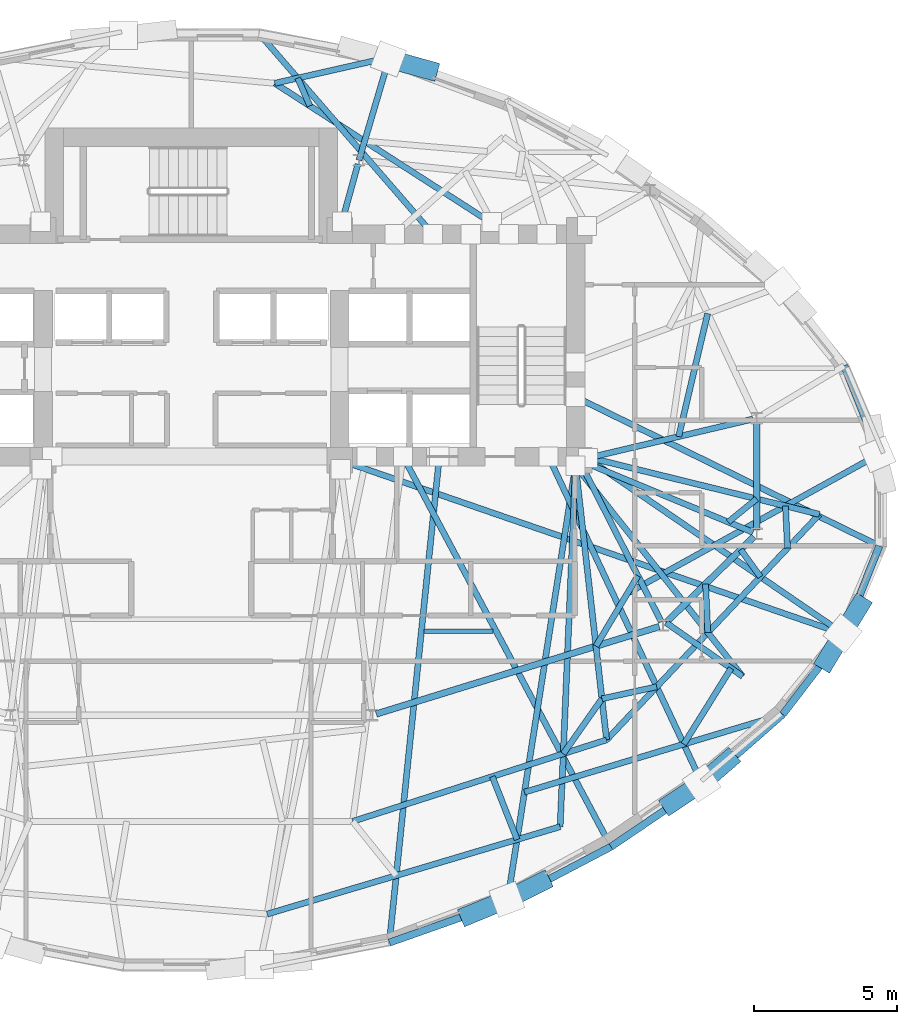
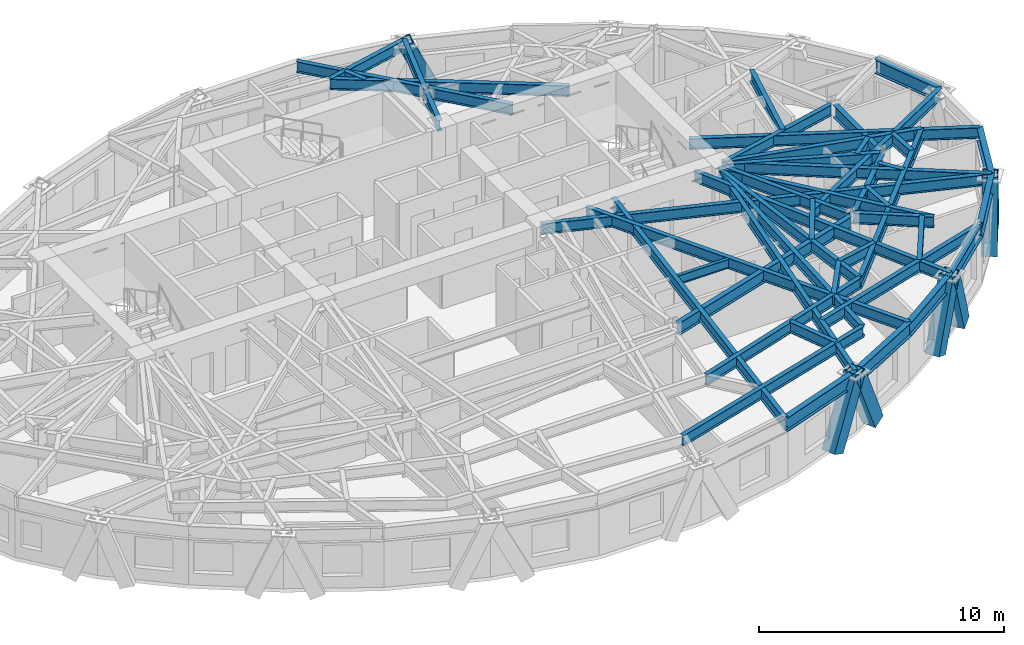
# One storey, part 3 of 14: 47 beams, 7 members.
"""IFC4 building model written with IfcOpenShell, lengths in metres."""

from ifc_helpers import new_model, si_unit, direction, frame, origin, origin_2d, place, context, subcontext, project, spatial, hollow_rectangle, i_section, extrude, material, material_profile, profile_set, type_object, element, save


model = new_model("IFC4")

# Units and contexts
model_context = context("Model", 3, precision=1e-05, world=origin(), true_north=direction((0.0, 1.0)))
body_context = subcontext(model_context, "Body", "Model", "MODEL_VIEW")
ifc_project = project(units=[si_unit("LENGTHUNIT", "METRE"), si_unit("AREAUNIT", "SQUARE_METRE"), si_unit("VOLUMEUNIT", "CUBIC_METRE"), si_unit("PLANEANGLEUNIT", "RADIAN"), si_unit("MASSUNIT", "GRAM", prefix="KILO")], contexts=[model_context])

# Site, building, storey
site_placement = place(None, origin())
site = spatial("IfcSite", under=ifc_project, at=site_placement, CompositionType="ELEMENT")
building_placement = place(site_placement, origin())
building = spatial("IfcBuilding", under=site, at=building_placement, Name="Keldmark Tower", CompositionType="ELEMENT")
storey_placement = place(building_placement, frame((0.0, 0.0, 191.800048828125)))
storey = spatial("IfcBuildingStorey", under=building, at=storey_placement, Name="L53", CompositionType="ELEMENT", Elevation=191.800048828125)

# Beam
ifc_material_1 = material(Name="Steel ASTM A992 Grade 50", Category="steel")
ifc_material_profile_1 = material_profile(ifc_material_1, i_section(OverallWidth=0.153076171875, OverallDepth=0.455078125, WebThickness=0.008056640625, FlangeThickness=0.01318359375, at=origin_2d()), Name="W18X40")
ifc_profile_set_1 = profile_set([ifc_material_profile_1], Name="Steel ASTM A992 Grade 50")
beam_type_1 = type_object("IfcBeamType", Name="Composite Floor Joist W18X40", PredefinedType="JOIST", material=ifc_profile_set_1)
beam_1_placement = place(storey_placement, frame((8.166259765625, -4.60009765625, 2.79248046875), z_axis=(1.0, 0.0, 0.0), x_axis=(0.0, 1.0, 0.0)))
element("IfcBeam", 1, at=beam_1_placement, inside=storey, type_object=beam_type_1, Name="L53 Composite Floor Joist J03", PredefinedType="JOIST", context=body_context, shape_type="SweptSolid", body=[
    extrude(i_section(OverallWidth=0.153076171875, OverallDepth=0.455078125, WebThickness=0.008056640625, FlangeThickness=0.01318359375, at=origin_2d()), origin(), (0.0, 0.0, 1.0), 2.4140625),
])

# Members
ifc_material_2 = material(Name="Steel ASTM A572 Grade 50", Category="steel")
ifc_material_profile_2 = material_profile(ifc_material_2, hollow_rectangle(XDim=0.64990234375, YDim=0.64990234375, WallThickness=0.0400390625, at=origin_2d()), Name="BOX650X650X40")
ifc_profile_set_2 = profile_set([ifc_material_profile_2], Name="Steel ASTM A572 Grade 50")
member_type = type_object("IfcMemberType", Name="Diagrid Zone 3 Brace BOX650X650X40", PredefinedType="BRACE", material=ifc_profile_set_2)
member_1_placement = place(storey_placement, frame((8.34326171875, 15.07421875, -0.260009765625), z_axis=(-0.408685267397, 0.113418732828, 0.905600653299), x_axis=(-0.267414129107, -0.963581695319, 0.0)))
element("IfcMember", 2, at=member_1_placement, inside=storey, type_object=member_type, Name="L53 Perimeter Diagrid Brace 03B", PredefinedType="BRACE", context=body_context, shape_type="SweptSolid", body=[
    extrude(hollow_rectangle(XDim=0.64990234375, YDim=0.64990234375, WallThickness=0.0400390625, at=origin_2d()), origin(), (0.0, 0.0, 1.0), 3.4892578125),
])
member_2_placement = place(storey_placement, frame((9.72802734375, -14.557861328125, -0.260009765625), z_axis=(0.385887663183, 0.15889078999, 0.908759829801), x_axis=(-0.380741343147, 0.924681582827, 0.0)))
element("IfcMember", 3, at=member_2_placement, inside=storey, type_object=member_type, Name="L53 Perimeter Diagrid Brace 13B", PredefinedType="BRACE", context=body_context, shape_type="SweptSolid", body=[
    extrude(hollow_rectangle(XDim=0.64990234375, YDim=0.64990234375, WallThickness=0.0400390625, at=origin_2d()), origin(), (0.0, 0.0, 1.0), 3.47705078125),
])
member_3_placement = place(storey_placement, frame((12.286865234375, -13.39892578125, -0.260009765625), z_axis=(-0.356427318982, -0.177398603979, 0.91732725981), x_axis=(0.445575094746, -0.895244567111, 0.0)))
element("IfcMember", 4, at=member_3_placement, inside=storey, type_object=member_type, Name="L53 Perimeter Diagrid Brace 14A", PredefinedType="BRACE", context=body_context, shape_type="SweptSolid", body=[
    extrude(hollow_rectangle(XDim=0.64990234375, YDim=0.64990234375, WallThickness=0.0400390625, at=origin_2d()), origin(), (0.0, 0.0, 1.0), 3.444580078125),
])
member_4_placement = place(storey_placement, frame((16.81103515625, -10.650390625, -0.260009765625), z_axis=(0.317686186172, 0.210100083996, 0.924626109203), x_axis=(-0.5516232624, 0.834093385886, 0.0)))
element("IfcMember", 5, at=member_4_placement, inside=storey, type_object=member_type, Name="L53 Perimeter Diagrid Brace 14B", PredefinedType="BRACE", context=body_context, shape_type="SweptSolid", body=[
    extrude(hollow_rectangle(XDim=0.64990234375, YDim=0.64990234375, WallThickness=0.0400390625, at=origin_2d()), origin(), (0.0, 0.0, 1.0), 3.41748046875),
])
member_5_placement = place(storey_placement, frame((18.834716796875, -9.12158203125, -0.260009765625), z_axis=(-0.278423669972, -0.240998816501, 0.929731052748), x_axis=(0.654462540029, -0.756094427766, 0.0)))
element("IfcMember", 6, at=member_5_placement, inside=storey, type_object=member_type, Name="L53 Perimeter Diagrid Brace 15A", PredefinedType="BRACE", context=body_context, shape_type="SweptSolid", body=[
    extrude(hollow_rectangle(XDim=0.64990234375, YDim=0.64990234375, WallThickness=0.0400390625, at=origin_2d()), origin(), (0.0, 0.0, 1.0), 3.398681640625),
])
member_6_placement = place(storey_placement, frame((22.260009765625, -5.647216796875, -0.260009765625), z_axis=(0.173956602908, 0.288108802809, 0.941664705747), x_axis=(-0.856059030945, 0.516878066412, 0.0)))
element("IfcMember", 7, at=member_6_placement, inside=storey, type_object=member_type, Name="L53 Perimeter Diagrid Brace 15B", PredefinedType="BRACE", context=body_context, shape_type="SweptSolid", body=[
    extrude(hollow_rectangle(XDim=0.64990234375, YDim=0.64990234375, WallThickness=0.0400390625, at=origin_2d()), origin(), (0.0, 0.0, 1.0), 3.355712890625),
])
member_7_placement = place(storey_placement, frame((23.452392578125, -3.688232421875, -0.260009765625), z_axis=(-0.181897569863, -0.297538660258, 0.937221435804), x_axis=(0.853194566061, -0.521592784119, 0.0)))
element("IfcMember", 8, at=member_7_placement, inside=storey, type_object=member_type, Name="L53 Perimeter Diagrid Brace 16A", PredefinedType="BRACE", context=body_context, shape_type="SweptSolid", body=[
    extrude(hollow_rectangle(XDim=0.64990234375, YDim=0.64990234375, WallThickness=0.0400390625, at=origin_2d()), origin(), (0.0, 0.0, 1.0), 3.37158203125),
])

# Beams
ifc_material_3 = material(Name="Steel ASTM A992 Grade 50", Category="steel")
ifc_material_profile_3 = material_profile(ifc_material_3, i_section(OverallWidth=0.22900390625, OverallDepth=0.612060546875, WebThickness=0.011962890625, FlangeThickness=0.01953125, at=origin_2d()), Name="W24X84")
ifc_profile_set_3 = profile_set([ifc_material_profile_3], Name="Steel ASTM A992 Grade 50")
beam_type_2 = type_object("IfcBeamType", Name="Primary Floor Girder W24X84", PredefinedType="BEAM", material=ifc_profile_set_3)
beam_2_placement = place(storey_placement, frame((6.485107421875, -7.5048828125, 2.7138671875), z_axis=(0.955494563145, 0.295008711398, 0.0), x_axis=(-0.295008711398, 0.955494563145, 0.0)))
element("IfcBeam", 9, at=beam_2_placement, inside=storey, type_object=beam_type_2, Name="L53 Floor Ring Girder FG-R10", PredefinedType="BEAM", context=body_context, shape_type="SweptSolid", body=[
    extrude(i_section(OverallWidth=0.22900390625, OverallDepth=0.612060546875, WebThickness=0.011962890625, FlangeThickness=0.01953125, at=origin_2d()), origin(), (0.0, 0.0, 1.0), 10.39013671875),
])
beam_3_placement = place(storey_placement, frame((16.646728515625, -4.300537109375, 2.7138671875), z_axis=(0.714964509815, 0.699160746684, 0.0), x_axis=(-0.699160746684, 0.714964509815, 0.0)))
element("IfcBeam", 10, at=beam_3_placement, inside=storey, type_object=beam_type_2, Name="L53 Floor Ring Girder FG-R11", PredefinedType="BEAM", context=body_context, shape_type="SweptSolid", body=[
    extrude(i_section(OverallWidth=0.22900390625, OverallDepth=0.612060546875, WebThickness=0.011962890625, FlangeThickness=0.01953125, at=origin_2d()), origin(), (0.0, 0.0, 1.0), 4.31005859375),
])
beam_4_placement = place(storey_placement, frame((19.828369140625, -1.04931640625, 2.7138671875), z_axis=(0.0, 1.0, 0.0), x_axis=(-1.0, 0.0, 0.0)))
element("IfcBeam", 11, at=beam_4_placement, inside=storey, type_object=beam_type_2, Name="L53 Floor Ring Girder FG-R12", PredefinedType="BEAM", context=body_context, shape_type="SweptSolid", body=[
    extrude(i_section(OverallWidth=0.22900390625, OverallDepth=0.612060546875, WebThickness=0.011962890625, FlangeThickness=0.01953125, at=origin_2d()), origin(), (0.0, 0.0, 1.0), 3.778564453125),
])
ifc_material_4 = material(Name="Steel ASTM A992 Grade 50", Category="steel")
ifc_material_profile_4 = material_profile(ifc_material_4, i_section(OverallWidth=0.2099609375, OverallDepth=0.537109375, WebThickness=0.010986328125, FlangeThickness=0.017333984375, at=origin_2d()), Name="W21X68")
ifc_profile_set_4 = profile_set([ifc_material_profile_4], Name="Steel ASTM A992 Grade 50")
beam_type_3 = type_object("IfcBeamType", Name="Radial Tie Girder W21X68", PredefinedType="BEAM", material=ifc_profile_set_4)
beam_5_placement = place(storey_placement, frame((19.692138671875, 2.837158203125, 2.75146484375), z_axis=(-0.973280062348, -0.229621253887, 0.0), x_axis=(0.229621253887, -0.973280062348, 0.0)))
element("IfcBeam", 12, at=beam_5_placement, inside=storey, type_object=beam_type_3, Name="L53 Floor Radial Girder FG-C01", PredefinedType="BEAM", context=body_context, shape_type="SweptSolid", body=[
    extrude(i_section(OverallWidth=0.2099609375, OverallDepth=0.537109375, WebThickness=0.010986328125, FlangeThickness=0.017333984375, at=origin_2d()), origin(), (0.0, 0.0, 1.0), 5.939208984375),
])
beam_6_placement = place(storey_placement, frame((5.843017578125, 11.7802734375, 2.75146484375), z_axis=(-0.265992411, -0.963975122755, 0.0), x_axis=(0.963975122755, -0.265992411, 0.0)))
element("IfcBeam", 13, at=beam_6_placement, inside=storey, type_object=beam_type_3, Name="L53 Floor Radial Girder FG-C03", PredefinedType="BEAM", context=body_context, shape_type="SweptSolid", body=[
    extrude(i_section(OverallWidth=0.2099609375, OverallDepth=0.537109375, WebThickness=0.010986328125, FlangeThickness=0.017333984375, at=origin_2d()), origin(), (0.0, 0.0, 1.0), 2.09716796875),
])
beam_7_placement = place(storey_placement, frame((16.4833984375, -4.273681640625, 2.75146484375), z_axis=(-0.453036691775, 0.891491870914, 0.0), x_axis=(-0.891491870914, -0.453036691775, 0.0)))
element("IfcBeam", 14, at=beam_7_placement, inside=storey, type_object=beam_type_3, Name="L53 Floor Radial Girder FG-C11", PredefinedType="BEAM", context=body_context, shape_type="SweptSolid", body=[
    extrude(i_section(OverallWidth=0.2099609375, OverallDepth=0.537109375, WebThickness=0.010986328125, FlangeThickness=0.017333984375, at=origin_2d()), origin(), (0.0, 0.0, 1.0), 6.044189453125),
])
beam_8_placement = place(storey_placement, frame((19.69921875, -1.135498046875, 2.75146484375), z_axis=(-0.923393794893, 0.383854008124, 0.0), x_axis=(-0.383854008124, -0.923393794893, 0.0)))
element("IfcBeam", 15, at=beam_8_placement, inside=storey, type_object=beam_type_3, Name="L53 Floor Radial Girder FG-C12", PredefinedType="BEAM", context=body_context, shape_type="SweptSolid", body=[
    extrude(i_section(OverallWidth=0.2099609375, OverallDepth=0.537109375, WebThickness=0.010986328125, FlangeThickness=0.017333984375, at=origin_2d()), origin(), (0.0, 0.0, 1.0), 6.28515625),
])
beam_9_placement = place(storey_placement, frame((15.661865234375, -2.6572265625, 2.75146484375), z_axis=(-0.511806509488, -0.85910074895, 0.0), x_axis=(0.85910074895, -0.511806509488, 0.0)))
element("IfcBeam", 16, at=beam_9_placement, inside=storey, type_object=beam_type_3, Name="L53 Framing Pin Header PH-005", PredefinedType="BEAM", context=body_context, shape_type="SweptSolid", body=[
    extrude(i_section(OverallWidth=0.2099609375, OverallDepth=0.537109375, WebThickness=0.010986328125, FlangeThickness=0.017333984375, at=origin_2d()), origin(), (0.0, 0.0, 1.0), 2.873046875),
])
beam_10_placement = place(storey_placement, frame((13.47509765625, 1.199951171875, 2.75146484375), z_axis=(0.112536501734, -0.993647591341, 0.0), x_axis=(0.993647591341, 0.112536501734, 0.0)))
element("IfcBeam", 17, at=beam_10_placement, inside=storey, type_object=beam_type_3, Name="L53 Sub-Ring Step Girder STP1-M11", PredefinedType="BEAM", context=body_context, shape_type="SweptSolid", body=[
    extrude(i_section(OverallWidth=0.2099609375, OverallDepth=0.537109375, WebThickness=0.010986328125, FlangeThickness=0.017333984375, at=origin_2d()), origin(), (0.0, 0.0, 1.0), 9.673583984375),
])
beam_11_placement = place(storey_placement, frame((18.82861328125, -0.773681640625, 2.75146484375), z_axis=(0.77576040379, 0.631027571435, 0.0), x_axis=(-0.631027571435, 0.77576040379, 0.0)))
element("IfcBeam", 18, at=beam_11_placement, inside=storey, type_object=beam_type_3, Name="L53 Framing Pin Header PH-006", PredefinedType="BEAM", context=body_context, shape_type="SweptSolid", body=[
    extrude(i_section(OverallWidth=0.2099609375, OverallDepth=0.537109375, WebThickness=0.010986328125, FlangeThickness=0.017333984375, at=origin_2d()), origin(), (0.0, 0.0, 1.0), 1.288818359375),
])
beam_12_placement = place(storey_placement, frame((13.800048828125, 1.52490234375, 2.75146484375), z_axis=(0.970958792884, -0.239246781632, 0.0), x_axis=(0.239246781632, 0.970958792884, 0.0)))
element("IfcBeam", 19, at=beam_12_placement, inside=storey, type_object=beam_type_3, Name="L53 Sub-Ring Step Girder STP1-M12", PredefinedType="BEAM", context=body_context, shape_type="SweptSolid", body=[
    extrude(i_section(OverallWidth=0.2099609375, OverallDepth=0.537109375, WebThickness=0.010986328125, FlangeThickness=0.017333984375, at=origin_2d()), origin(), (0.0, 0.0, 1.0), 8.474853515625),
])
beam_13_placement = place(storey_placement, frame((5.658203125, -11.271484375, 2.75146484375), z_axis=(0.952125468384, 0.30570752764, 0.0), x_axis=(-0.30570752764, 0.952125468384, 0.0)))
element("IfcBeam", 20, at=beam_13_placement, inside=storey, type_object=beam_type_3, Name="L53 Perimeter Collector Ring Beam CRG1-M10", PredefinedType="BEAM", context=body_context, shape_type="SweptSolid", body=[
    extrude(i_section(OverallWidth=0.2099609375, OverallDepth=0.537109375, WebThickness=0.010986328125, FlangeThickness=0.017333984375, at=origin_2d()), origin(), (0.0, 0.0, 1.0), 9.353271484375),
])
beam_14_placement = place(storey_placement, frame((14.563720703125, -8.412109375, 2.75146484375), z_axis=(0.68638422422, 0.727239091868, 0.0), x_axis=(-0.727239091868, 0.68638422422, 0.0)))
element("IfcBeam", 21, at=beam_14_placement, inside=storey, type_object=beam_type_3, Name="L53 Perimeter Collector Ring Beam CRG1-M11", PredefinedType="BEAM", context=body_context, shape_type="SweptSolid", body=[
    extrude(i_section(OverallWidth=0.2099609375, OverallDepth=0.537109375, WebThickness=0.010986328125, FlangeThickness=0.017333984375, at=origin_2d()), origin(), (0.0, 0.0, 1.0), 10.8759765625),
])
beam_15_placement = place(storey_placement, frame((14.400390625, -6.97021484375, 2.75146484375), z_axis=(-0.575072853593, -0.818102202088, 0.0), x_axis=(0.818102202088, -0.575072853593, 0.0)))
element("IfcBeam", 22, at=beam_15_placement, inside=storey, type_object=beam_type_3, Name="L53 Framing Pin Header PH-010", PredefinedType="BEAM", context=body_context, shape_type="SweptSolid", body=[
    extrude(i_section(OverallWidth=0.2099609375, OverallDepth=0.537109375, WebThickness=0.010986328125, FlangeThickness=0.017333984375, at=origin_2d()), origin(), (0.0, 0.0, 1.0), 2.358642578125),
])
beam_16_placement = place(storey_placement, frame((13.47509765625, 1.199951171875, 2.75146484375), z_axis=(-0.042647735459, -0.999090171436, 0.0), x_axis=(0.999090171436, -0.042647735459, 0.0)))
element("IfcBeam", 23, at=beam_16_placement, inside=storey, type_object=beam_type_3, Name="L53 Sub-Ring Step Girder STP2-M11", PredefinedType="BEAM", context=body_context, shape_type="SweptSolid", body=[
    extrude(i_section(OverallWidth=0.2099609375, OverallDepth=0.537109375, WebThickness=0.010986328125, FlangeThickness=0.017333984375, at=origin_2d()), origin(), (0.0, 0.0, 1.0), 12.66845703125),
])
beam_17_placement = place(storey_placement, frame((2.66357421875, -14.521484375, 2.75146484375), z_axis=(0.958259629057, 0.285899428678, 0.0), x_axis=(-0.285899428678, 0.958259629057, 0.0)))
element("IfcBeam", 24, at=beam_17_placement, inside=storey, type_object=beam_type_3, Name="L53 Perimeter Collector Ring Beam CRG2-M10", PredefinedType="BEAM", context=body_context, shape_type="SweptSolid", body=[
    extrude(i_section(OverallWidth=0.2099609375, OverallDepth=0.537109375, WebThickness=0.010986328125, FlangeThickness=0.017333984375, at=origin_2d()), origin(), (0.0, 0.0, 1.0), 10.71875),
])
beam_18_placement = place(storey_placement, frame((20.9091796875, -1.68896484375, 2.75146484375), z_axis=(-0.048441907701, 0.998826001653, 0.0), x_axis=(-0.998826001653, -0.048441907701, 0.0)))
element("IfcBeam", 25, at=beam_18_placement, inside=storey, type_object=beam_type_3, Name="L53 Framing Pin Header PH-011", PredefinedType="BEAM", context=body_context, shape_type="SweptSolid", body=[
    extrude(i_section(OverallWidth=0.2099609375, OverallDepth=0.537109375, WebThickness=0.010986328125, FlangeThickness=0.017333984375, at=origin_2d()), origin(), (0.0, 0.0, 1.0), 1.481689453125),
])
beam_19_placement = place(storey_placement, frame((15.294189453125, -3.2744140625, 2.75146484375), z_axis=(0.875109221207, 0.483925460126, 0.0), x_axis=(-0.483925460126, 0.875109221207, 0.0)))
element("IfcBeam", 26, at=beam_19_placement, inside=storey, type_object=beam_type_3, Name="L53 Perimeter Radial Tie Girder RT-01", PredefinedType="BEAM", context=body_context, shape_type="SweptSolid", body=[
    extrude(i_section(OverallWidth=0.2099609375, OverallDepth=0.537109375, WebThickness=0.010986328125, FlangeThickness=0.017333984375, at=origin_2d()), origin(), (0.0, 0.0, 1.0), 10.095458984375),
])
beam_20_placement = place(storey_placement, frame((17.0908203125, 2.223388671875, 2.75146484375), z_axis=(0.22932473305, 0.973349971393, 0.0), x_axis=(-0.973349971393, 0.22932473305, 0.0)))
element("IfcBeam", 27, at=beam_20_placement, inside=storey, type_object=beam_type_3, Name="L53 Framing Pin Header PH-012", PredefinedType="BEAM", context=body_context, shape_type="SweptSolid", body=[
    extrude(i_section(OverallWidth=0.2099609375, OverallDepth=0.537109375, WebThickness=0.010986328125, FlangeThickness=0.017333984375, at=origin_2d()), origin(), (0.0, 0.0, 1.0), 4.43408203125),
])
beam_21_placement = place(storey_placement, frame((5.880126953125, 11.915283203125, 2.75146484375), z_axis=(0.283230826763, 0.959051770642, 0.0), x_axis=(-0.959051770642, 0.283230826763, 0.0)))
element("IfcBeam", 28, at=beam_21_placement, inside=storey, type_object=beam_type_3, Name="L53 Perimeter Column Bracket RT-07", PredefinedType="BEAM", context=body_context, shape_type="SweptSolid", body=[
    extrude(i_section(OverallWidth=0.2099609375, OverallDepth=0.537109375, WebThickness=0.010986328125, FlangeThickness=0.017333984375, at=origin_2d()), origin(), (0.0, 0.0, 1.0), 3.76171875),
])
beam_22_placement = place(storey_placement, frame((8.699951171875, 1.52490234375, 2.75146484375), z_axis=(-0.102369365264, -0.994746456669, 0.0), x_axis=(0.994746456669, -0.102369365264, 0.0)))
element("IfcBeam", 29, at=beam_22_placement, inside=storey, type_object=beam_type_3, Name="L53 Perimeter Radial Tie Girder RT-26", PredefinedType="BEAM", context=body_context, shape_type="SweptSolid", body=[
    extrude(i_section(OverallWidth=0.2099609375, OverallDepth=0.537109375, WebThickness=0.010986328125, FlangeThickness=0.017333984375, at=origin_2d()), origin(), (0.0, 0.0, 1.0), 17.137939453125),
])
beam_23_placement = place(storey_placement, frame((10.556396484375, -9.69873046875, 2.75146484375), z_axis=(0.365690563451, -0.930736488918, 0.0), x_axis=(0.930736488918, 0.365690563451, 0.0)))
element("IfcBeam", 30, at=beam_23_placement, inside=storey, type_object=beam_type_3, Name="L53 Framing Pin Header PH-029", PredefinedType="BEAM", context=body_context, shape_type="SweptSolid", body=[
    extrude(i_section(OverallWidth=0.2099609375, OverallDepth=0.537109375, WebThickness=0.010986328125, FlangeThickness=0.017333984375, at=origin_2d()), origin(), (0.0, 0.0, 1.0), 2.373291015625),
])
beam_24_placement = place(storey_placement, frame((13.47509765625, 1.199951171875, 2.75146484375), z_axis=(-0.154560073857, -0.987983392355, 0.0), x_axis=(0.987983392355, -0.154560073857, 0.0)))
element("IfcBeam", 31, at=beam_24_placement, inside=storey, type_object=beam_type_3, Name="L53 Perimeter Radial Tie Girder RT-27", PredefinedType="BEAM", context=body_context, shape_type="SweptSolid", body=[
    extrude(i_section(OverallWidth=0.2099609375, OverallDepth=0.537109375, WebThickness=0.010986328125, FlangeThickness=0.017333984375, at=origin_2d()), origin(), (0.0, 0.0, 1.0), 15.4482421875),
])
beam_25_placement = place(storey_placement, frame((7.425048828125, 1.52490234375, 2.75146484375), z_axis=(0.470363494816, -0.882472766007, 0.0), x_axis=(0.882472766007, 0.470363494816, 0.0)))
element("IfcBeam", 32, at=beam_25_placement, inside=storey, type_object=beam_type_3, Name="L53 Perimeter Radial Tie Girder RT-28", PredefinedType="BEAM", context=body_context, shape_type="SweptSolid", body=[
    extrude(i_section(OverallWidth=0.2099609375, OverallDepth=0.537109375, WebThickness=0.010986328125, FlangeThickness=0.017333984375, at=origin_2d()), origin(), (0.0, 0.0, 1.0), 15.506591796875),
])
beam_26_placement = place(storey_placement, frame((14.400390625, -6.97021484375, 2.75146484375), z_axis=(0.976816552119, 0.214078078059, 0.0), x_axis=(-0.214078078059, 0.976816552119, 0.0)))
element("IfcBeam", 33, at=beam_26_placement, inside=storey, type_object=beam_type_3, Name="L53 Framing Pin Header PH-030", PredefinedType="BEAM", context=body_context, shape_type="SweptSolid", body=[
    extrude(i_section(OverallWidth=0.2099609375, OverallDepth=0.537109375, WebThickness=0.010986328125, FlangeThickness=0.017333984375, at=origin_2d()), origin(), (0.0, 0.0, 1.0), 1.96728515625),
])
beam_27_placement = place(storey_placement, frame((12.52490234375, 1.52490234375, 2.75146484375), z_axis=(0.42556672406, -0.904927048647, 0.0), x_axis=(0.904927048647, 0.42556672406, 0.0)))
element("IfcBeam", 34, at=beam_27_placement, inside=storey, type_object=beam_type_3, Name="L53 Perimeter Radial Tie Girder RT-29", PredefinedType="BEAM", context=body_context, shape_type="SweptSolid", body=[
    extrude(i_section(OverallWidth=0.2099609375, OverallDepth=0.537109375, WebThickness=0.010986328125, FlangeThickness=0.017333984375, at=origin_2d()), origin(), (0.0, 0.0, 1.0), 12.712158203125),
])
beam_28_placement = place(storey_placement, frame((18.033447265625, -2.944580078125, 2.75146484375), z_axis=(0.047476824167, -0.998872339775, 0.0), x_axis=(0.998872339775, 0.047476824167, 0.0)))
element("IfcBeam", 35, at=beam_28_placement, inside=storey, type_object=beam_type_3, Name="L53 Framing Pin Header PH-031", PredefinedType="BEAM", context=body_context, shape_type="SweptSolid", body=[
    extrude(i_section(OverallWidth=0.2099609375, OverallDepth=0.537109375, WebThickness=0.010986328125, FlangeThickness=0.017333984375, at=origin_2d()), origin(), (0.0, 0.0, 1.0), 1.707275390625),
])
beam_29_placement = place(storey_placement, frame((13.47509765625, 1.199951171875, 2.75146484375), z_axis=(0.621404579607, -0.783489852164, 0.0), x_axis=(0.783489852164, 0.621404579607, 0.0)))
element("IfcBeam", 36, at=beam_29_placement, inside=storey, type_object=beam_type_3, Name="L53 Intermediate Radial Step Girder RT-30M", PredefinedType="BEAM", context=body_context, shape_type="SweptSolid", body=[
    extrude(i_section(OverallWidth=0.2099609375, OverallDepth=0.537109375, WebThickness=0.010986328125, FlangeThickness=0.017333984375, at=origin_2d()), origin(), (0.0, 0.0, 1.0), 9.426025390625),
])
beam_30_placement = place(storey_placement, frame((16.646728515625, -4.300537109375, 2.75146484375), z_axis=(0.818556692462, -0.574425749096, 0.0), x_axis=(0.574425749096, 0.818556692462, 0.0)))
element("IfcBeam", 37, at=beam_30_placement, inside=storey, type_object=beam_type_3, Name="L53 Local Collector Chord RT-30C", PredefinedType="BEAM", context=body_context, shape_type="SweptSolid", body=[
    extrude(i_section(OverallWidth=0.2099609375, OverallDepth=0.537109375, WebThickness=0.010986328125, FlangeThickness=0.017333984375, at=origin_2d()), origin(), (0.0, 0.0, 1.0), 3.28125),
])
beam_31_placement = place(storey_placement, frame((19.26611328125, -1.739013671875, 2.75146484375), z_axis=(0.586523837117, -0.809931965349, 0.0), x_axis=(0.809931965349, 0.586523837117, 0.0)))
element("IfcBeam", 38, at=beam_31_placement, inside=storey, type_object=beam_type_3, Name="L53 Framing Pin Header PH-032", PredefinedType="BEAM", context=body_context, shape_type="SweptSolid", body=[
    extrude(i_section(OverallWidth=0.2099609375, OverallDepth=0.537109375, WebThickness=0.010986328125, FlangeThickness=0.017333984375, at=origin_2d()), origin(), (0.0, 0.0, 1.0), 1.181396484375),
])
beam_32_placement = place(storey_placement, frame((13.800048828125, 1.52490234375, 2.75146484375), z_axis=(0.824894327773, -0.565286960762, 0.0), x_axis=(0.565286960762, 0.824894327773, 0.0)))
element("IfcBeam", 39, at=beam_32_placement, inside=storey, type_object=beam_type_3, Name="L53 Perimeter Radial Tie Girder RT-31", PredefinedType="BEAM", context=body_context, shape_type="SweptSolid", body=[
    extrude(i_section(OverallWidth=0.2099609375, OverallDepth=0.537109375, WebThickness=0.010986328125, FlangeThickness=0.017333984375, at=origin_2d()), origin(), (0.0, 0.0, 1.0), 11.02734375),
])
beam_33_placement = place(storey_placement, frame((13.47509765625, 3.6142578125, 2.75146484375), z_axis=(0.897824557879, -0.440353339115, 0.0), x_axis=(0.440353339115, 0.897824557879, 0.0)))
element("IfcBeam", 40, at=beam_33_placement, inside=storey, type_object=beam_type_3, Name="L53 Perimeter Radial Tie Girder RT-32", PredefinedType="BEAM", context=body_context, shape_type="SweptSolid", body=[
    extrude(i_section(OverallWidth=0.2099609375, OverallDepth=0.537109375, WebThickness=0.010986328125, FlangeThickness=0.017333984375, at=origin_2d()), origin(), (0.0, 0.0, 1.0), 11.8662109375),
])
beam_34_placement = place(storey_placement, frame((11.1357421875, 9.324951171875, 2.75146484375), z_axis=(-0.840621624386, 0.54162282505, 0.0), x_axis=(-0.54162282505, -0.840621624386, 0.0)))
element("IfcBeam", 41, at=beam_34_placement, inside=storey, type_object=beam_type_3, Name="L53 Crown Step Radial Girder RT-08RN2", PredefinedType="BEAM", context=body_context, shape_type="SweptSolid", body=[
    extrude(i_section(OverallWidth=0.2099609375, OverallDepth=0.537109375, WebThickness=0.010986328125, FlangeThickness=0.017333984375, at=origin_2d()), origin(), (0.0, 0.0, 1.0), 9.765625),
])
beam_35_placement = place(storey_placement, frame((2.926513671875, 14.6142578125, 2.75146484375), z_axis=(0.975380189271, 0.22053001242, 0.0), x_axis=(-0.22053001242, 0.975380189271, 0.0)))
element("IfcBeam", 42, at=beam_35_placement, inside=storey, type_object=beam_type_3, Name="L53 Crown Step Collector Chord RT-08RP2", PredefinedType="BEAM", context=body_context, shape_type="SweptSolid", body=[
    extrude(i_section(OverallWidth=0.2099609375, OverallDepth=0.537109375, WebThickness=0.010986328125, FlangeThickness=0.017333984375, at=origin_2d()), origin(), (0.0, 0.0, 1.0), 4.12060546875),
])
beam_36_placement = place(storey_placement, frame((4.157958984375, 13.82080078125, 2.75146484375), z_axis=(-0.401708724822, 0.915767492545, 0.0), x_axis=(-0.915767492545, -0.401708724822, 0.0)))
element("IfcBeam", 43, at=beam_36_placement, inside=storey, type_object=beam_type_3, Name="L53 Framing Pin Header PH-034", PredefinedType="BEAM", context=body_context, shape_type="SweptSolid", body=[
    extrude(i_section(OverallWidth=0.2099609375, OverallDepth=0.537109375, WebThickness=0.010986328125, FlangeThickness=0.017333984375, at=origin_2d()), origin(), (0.0, 0.0, 1.0), 1.064697265625),
])
beam_37_placement = place(storey_placement, frame((8.471435546875, 9.324951171875, 2.75146484375), z_axis=(-0.654888592411, 0.755725433958, 0.0), x_axis=(-0.755725433958, -0.654888592411, 0.0)))
element("IfcBeam", 44, at=beam_37_placement, inside=storey, type_object=beam_type_3, Name="L53 Perimeter Radial Tie Girder RT-08R", PredefinedType="BEAM", context=body_context, shape_type="SweptSolid", body=[
    extrude(i_section(OverallWidth=0.2099609375, OverallDepth=0.537109375, WebThickness=0.010986328125, FlangeThickness=0.017333984375, at=origin_2d()), origin(), (0.0, 0.0, 1.0), 9.306884765625),
])
beam_38_placement = place(storey_placement, frame((5.199951171875, 1.39990234375, 2.75146484375), z_axis=(0.945267746193, -0.326295706388, 0.0), x_axis=(0.326295706388, 0.945267746193, 0.0)))
element("IfcBeam", 45, at=beam_38_placement, inside=storey, type_object=beam_type_3, Name="L53 Straddling Support Chord RT-30RB", PredefinedType="BEAM", context=body_context, shape_type="SweptSolid", body=[
    extrude(i_section(OverallWidth=0.2099609375, OverallDepth=0.537109375, WebThickness=0.010986328125, FlangeThickness=0.017333984375, at=origin_2d()), origin(), (0.0, 0.0, 1.0), 18.72119140625),
])
beam_39_placement = place(storey_placement, frame((18.9296875, -5.902587890625, 2.75146484375), z_axis=(-0.529355118981, -0.848400352433, 0.0), x_axis=(0.848400352433, -0.529355118981, 0.0)))
element("IfcBeam", 46, at=beam_39_placement, inside=storey, type_object=beam_type_3, Name="L53 Framing Pin Header PH-036", PredefinedType="BEAM", context=body_context, shape_type="SweptSolid", body=[
    extrude(i_section(OverallWidth=0.2099609375, OverallDepth=0.537109375, WebThickness=0.010986328125, FlangeThickness=0.017333984375, at=origin_2d()), origin(), (0.0, 0.0, 1.0), 3.13671875),
])
beam_40_placement = place(storey_placement, frame((11.68408203125, -10.2470703125, 2.75146484375), z_axis=(0.957452624784, 0.28859049065, 0.0), x_axis=(-0.28859049065, 0.957452624784, 0.0)))
element("IfcBeam", 47, at=beam_40_placement, inside=storey, type_object=beam_type_3, Name="L53 Perimeter Radial Tie Girder RT-30R", PredefinedType="BEAM", context=body_context, shape_type="SweptSolid", body=[
    extrude(i_section(OverallWidth=0.2099609375, OverallDepth=0.537109375, WebThickness=0.010986328125, FlangeThickness=0.017333984375, at=origin_2d()), origin(), (0.0, 0.0, 1.0), 9.46142578125),
])
ifc_material_5 = material(Name="Steel ASTM A992 Grade 50", Category="steel")
ifc_material_profile_5 = material_profile(ifc_material_5, i_section(OverallWidth=0.256103515625, OverallDepth=0.693115234375, WebThickness=0.014404296875, FlangeThickness=0.023681640625, at=origin_2d()), Name="W27X114")
ifc_profile_set_5 = profile_set([ifc_material_profile_5], Name="Steel ASTM A992 Grade 50")
beam_type_4 = type_object("IfcBeamType", Name="Spandrel Ring Beam W27X114", PredefinedType="SPANDREL", material=ifc_profile_set_5)
beam_41_placement = place(storey_placement, frame((24.12890625, 1.611083984375, 2.67333984375), z_axis=(-0.369672887509, 0.929161964483, 0.0), x_axis=(-0.929161964483, -0.369672887509, 0.0)))
element("IfcBeam", 48, at=beam_41_placement, inside=storey, type_object=beam_type_4, Name="L53 Perimeter Spandrel Ring Beam SRB-01", PredefinedType="SPANDREL", context=body_context, shape_type="SweptSolid", body=[
    extrude(i_section(OverallWidth=0.256103515625, OverallDepth=0.693115234375, WebThickness=0.014404296875, FlangeThickness=0.023681640625, at=origin_2d()), origin(), (0.0, 0.0, 1.0), 3.333740234375),
])
beam_42_placement = place(storey_placement, frame((6.945556640625, -15.52294921875, 2.67333984375), z_axis=(0.943106248319, 0.332491510239, 0.0), x_axis=(-0.332491510239, 0.943106248319, 0.0)))
element("IfcBeam", 49, at=beam_42_placement, inside=storey, type_object=beam_type_4, Name="L53 Perimeter Spandrel Ring Beam SRB-26", PredefinedType="SPANDREL", context=body_context, shape_type="SweptSolid", body=[
    extrude(i_section(OverallWidth=0.256103515625, OverallDepth=0.693115234375, WebThickness=0.014404296875, FlangeThickness=0.023681640625, at=origin_2d()), origin(), (0.0, 0.0, 1.0), 4.3916015625),
])
beam_43_placement = place(storey_placement, frame((11.08740234375, -14.062744140625, 2.67333984375), z_axis=(0.885688137447, 0.464280651316, 0.0), x_axis=(-0.464280651316, 0.885688137447, 0.0)))
element("IfcBeam", 50, at=beam_43_placement, inside=storey, type_object=beam_type_4, Name="L53 Perimeter Spandrel Ring Beam SRB-27", PredefinedType="SPANDREL", context=body_context, shape_type="SweptSolid", body=[
    extrude(i_section(OverallWidth=0.256103515625, OverallDepth=0.693115234375, WebThickness=0.014404296875, FlangeThickness=0.023681640625, at=origin_2d()), origin(), (0.0, 0.0, 1.0), 4.10009765625),
])
beam_44_placement = place(storey_placement, frame((14.71875, -12.1591796875, 2.67333984375), z_axis=(0.827704046296, 0.561164870377, 0.0), x_axis=(-0.561164870377, 0.827704046296, 0.0)))
element("IfcBeam", 51, at=beam_44_placement, inside=storey, type_object=beam_type_4, Name="L53 Perimeter Spandrel Ring Beam SRB-28", PredefinedType="SPANDREL", context=body_context, shape_type="SweptSolid", body=[
    extrude(i_section(OverallWidth=0.256103515625, OverallDepth=0.693115234375, WebThickness=0.014404296875, FlangeThickness=0.023681640625, at=origin_2d()), origin(), (0.0, 0.0, 1.0), 3.885498046875),
])
beam_45_placement = place(storey_placement, frame((17.934814453125, -9.978759765625, 2.67333984375), z_axis=(0.751904074321, 0.659272525607, 0.0), x_axis=(-0.659272525607, 0.751904074321, 0.0)))
element("IfcBeam", 52, at=beam_45_placement, inside=storey, type_object=beam_type_4, Name="L53 Perimeter Spandrel Ring Beam SRB-29", PredefinedType="SPANDREL", context=body_context, shape_type="SweptSolid", body=[
    extrude(i_section(OverallWidth=0.256103515625, OverallDepth=0.693115234375, WebThickness=0.014404296875, FlangeThickness=0.023681640625, at=origin_2d()), origin(), (0.0, 0.0, 1.0), 3.734619140625),
])
beam_46_placement = place(storey_placement, frame((20.742919921875, -7.5166015625, 2.67333984375), z_axis=(0.608586512644, 0.793487527708, 0.0), x_axis=(-0.793487527708, 0.608586512644, 0.0)))
element("IfcBeam", 53, at=beam_46_placement, inside=storey, type_object=beam_type_4, Name="L53 Perimeter Spandrel Ring Beam SRB-30", PredefinedType="SPANDREL", context=body_context, shape_type="SweptSolid", body=[
    extrude(i_section(OverallWidth=0.256103515625, OverallDepth=0.693115234375, WebThickness=0.014404296875, FlangeThickness=0.023681640625, at=origin_2d()), origin(), (0.0, 0.0, 1.0), 3.53857421875),
])
beam_47_placement = place(storey_placement, frame((22.896484375, -4.708740234375, 2.67333984375), z_axis=(0.369672887509, 0.929161964483, 0.0), x_axis=(-0.929161964483, 0.369672887509, 0.0)))
element("IfcBeam", 54, at=beam_47_placement, inside=storey, type_object=beam_type_4, Name="L53 Perimeter Spandrel Ring Beam SRB-31", PredefinedType="SPANDREL", context=body_context, shape_type="SweptSolid", body=[
    extrude(i_section(OverallWidth=0.256103515625, OverallDepth=0.693115234375, WebThickness=0.014404296875, FlangeThickness=0.023681640625, at=origin_2d()), origin(), (0.0, 0.0, 1.0), 3.333740234375),
])

save(model, "model.ifc")
